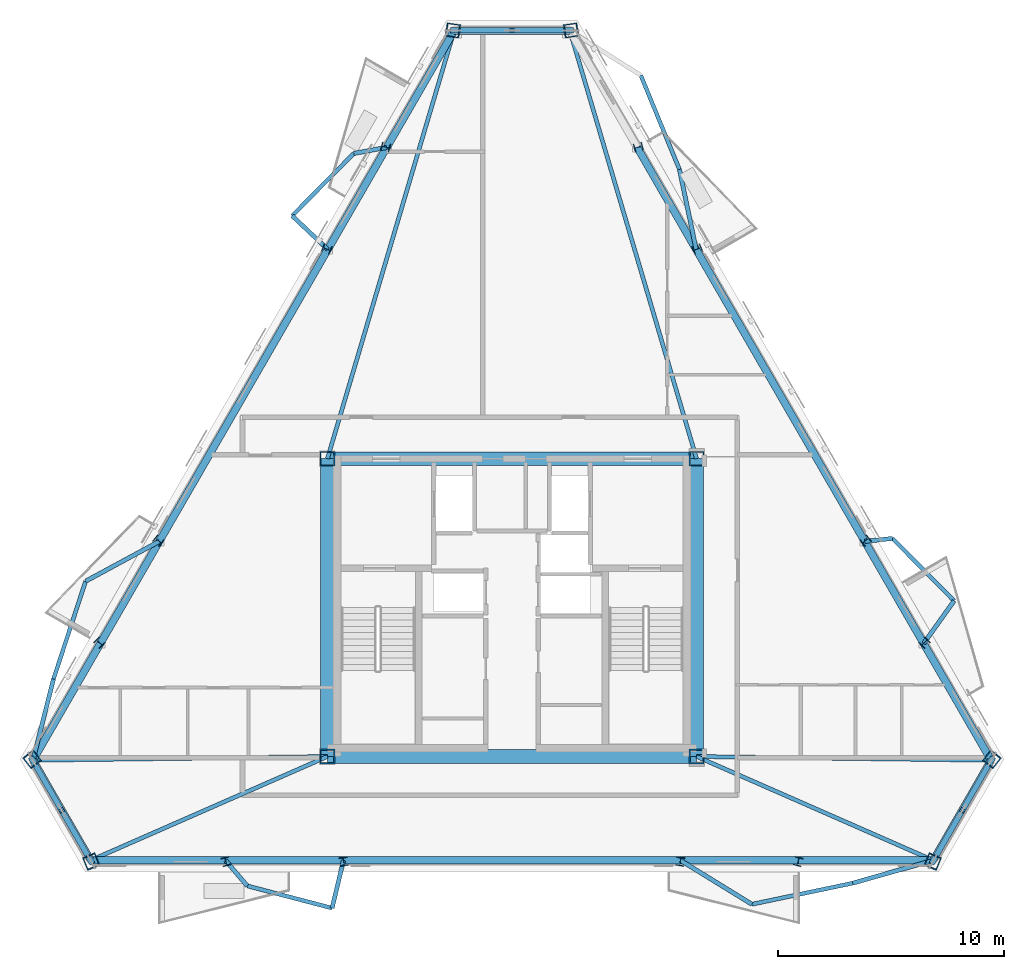
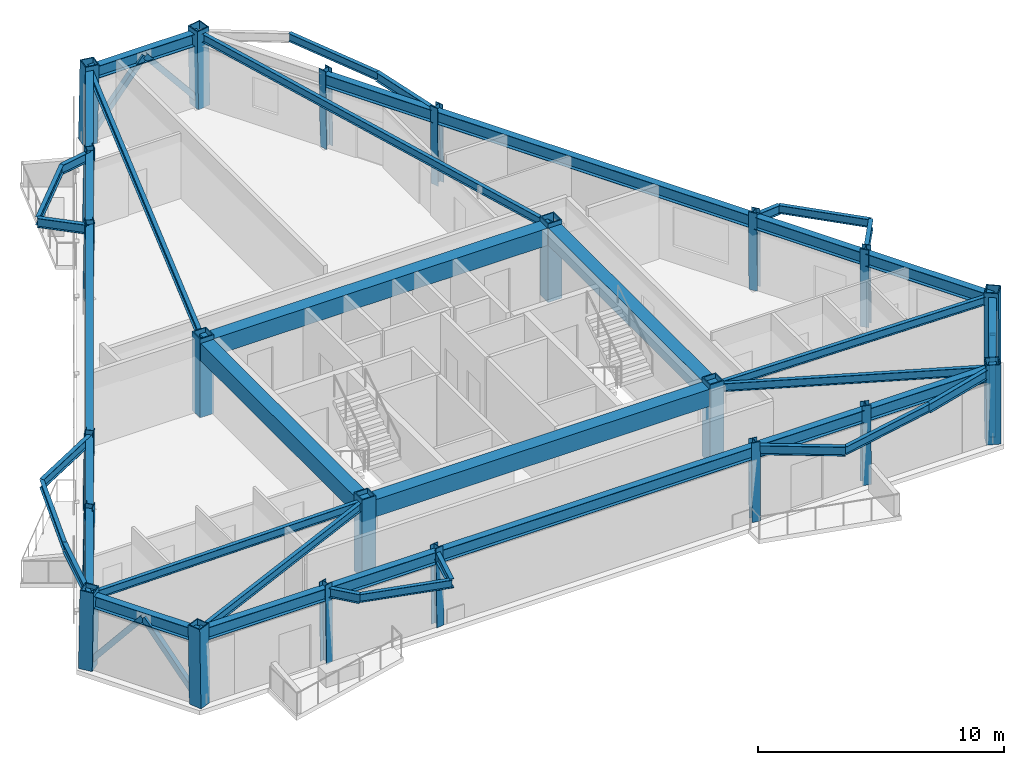
# One storey, part 1 of 9: 44 beams, 22 columns, 6 members.
"""IFC4 building model written with IfcOpenShell, lengths in metres."""

from ifc_helpers import new_model, si_unit, direction, frame, origin, origin_2d, place, context, subcontext, project, spatial, rectangle, hollow_rectangle, i_section, extrude, material, material_profile, profile_set, type_object, element, save


model = new_model("IFC4")

# Units and contexts
model_context = context("Model", 3, precision=1e-05, world=origin(), true_north=direction((0.0, 1.0)))
body_context = subcontext(model_context, "Body", "Model", "MODEL_VIEW")
ifc_project = project(units=[si_unit("LENGTHUNIT", "METRE"), si_unit("AREAUNIT", "SQUARE_METRE"), si_unit("VOLUMEUNIT", "CUBIC_METRE"), si_unit("PLANEANGLEUNIT", "RADIAN"), si_unit("MASSUNIT", "GRAM", prefix="KILO")], contexts=[model_context])

# Site, building, storey
site_placement = place(None, origin())
site = spatial("IfcSite", under=ifc_project, at=site_placement, CompositionType="ELEMENT")
building_placement = place(site_placement, origin())
building = spatial("IfcBuilding", under=site, at=building_placement, Name="Oramaril Tower", CompositionType="ELEMENT")
storey_placement = place(building_placement, frame((0.0, 0.0, 257.699951171875)))
storey = spatial("IfcBuildingStorey", under=building, at=storey_placement, Name="L68", CompositionType="ELEMENT", Elevation=257.699951171875)

# Columns
ifc_material_1 = material(Name="Steel ASTM A572 Gr 50", Category="steel")
ifc_material_profile_1 = material_profile(ifc_material_1, hollow_rectangle(XDim=0.64990234375, YDim=0.64990234375, WallThickness=0.050048828125, at=origin_2d()), Name="BOX650X650X50")
ifc_profile_set_1 = profile_set([ifc_material_profile_1], Name="Steel ASTM A572 Gr 50")
column_type_1 = type_object("IfcColumnType", Name="CT-CC5", PredefinedType="COLUMN", material=ifc_profile_set_1)
for number, where, z_axis, x_axis, name in (
    (1, (29.35009765625, 11.0, 0.0), (0.0, 0.0, 1.0), (1.0, 0.0, 0.0), "L68 Core Column CC-1"),
    (2, (45.64990234375, 11.0, 0.0), (0.0, 0.0, 1.0), (1.0, 0.0, 0.0), "L68 Core Column CC-2"),
    (3, (45.64990234375, 24.14990234375, 0.0), (0.0, 0.0, 1.0), (1.0, 0.0, 0.0), "L68 Core Column CC-3"),
    (4, (29.35009765625, 24.14990234375, 0.0), (0.0, 0.0, 1.0), (1.0, 0.0, 0.0), "L68 Core Column CC-4"),
):
    element("IfcColumn", number, at=place(storey_placement, frame(where, z_axis=z_axis, x_axis=x_axis)), inside=storey, type_object=column_type_1, Name=name, PredefinedType="COLUMN", context=body_context, shape_type="SweptSolid", body=[
        extrude(hollow_rectangle(XDim=0.64990234375, YDim=0.64990234375, WallThickness=0.050048828125, at=origin_2d()), origin(), (0.0, 0.0, 1.0), 3.900146484375),
    ])
ifc_material_2 = material(Name="Steel ASTM A572 Gr 50", Category="steel")
ifc_material_profile_2 = material_profile(ifc_material_2, hollow_rectangle(XDim=0.60009765625, YDim=0.60009765625, WallThickness=0.044921875, at=origin_2d()), Name="BOX600X600X45")
ifc_profile_set_2 = profile_set([ifc_material_profile_2], Name="Steel ASTM A572 Gr 50")
column_type_2 = type_object("IfcColumnType", Name="CT-TC5", PredefinedType="COLUMN", material=ifc_profile_set_2)
for number, where, z_axis, x_axis, name in (
    (5, (16.307373046875, 10.885986328125, 0.004638671875), (0.010414544061, -0.013175025619, 0.999858968041), (0.784500119596, 0.620128665967, 0.0), "L68 Tube Column TC-01"),
    (6, (18.92431640625, 6.353515625, 0.004638671875), (-0.006273817464, 0.015621805484, 0.999858289163), (-0.927961766506, -0.372675408235, 0.0), "L68 Tube Column TC-02"),
    (7, (56.07568359375, 6.353515625, 0.004638671875), (0.006273817464, 0.015621805484, 0.999858289163), (-0.927961766506, 0.372675408235, 0.0), "L68 Tube Column TC-03"),
    (8, (58.692626953125, 10.885986328125, 0.004638671875), (-0.010414544061, -0.013175025619, 0.999858968041), (0.784500119596, -0.620128665967, 0.0), "L68 Tube Column TC-04"),
    (9, (40.11669921875, 43.060302734375, 0.004638671875), (-0.016625624622, -0.002446790039, 0.999858790942), (0.145601470259, -0.989343323553, 0.0), "L68 Tube Column TC-05"),
    (10, (34.88330078125, 43.060302734375, 0.004638671875), (0.016625624622, -0.002446790039, 0.999858790942), (0.145601470259, 0.989343323553, 0.0), "L68 Tube Column TC-06"),
):
    element("IfcColumn", number, at=place(storey_placement, frame(where, z_axis=z_axis, x_axis=x_axis)), inside=storey, type_object=column_type_2, Name=name, PredefinedType="COLUMN", context=body_context, shape_type="SweptSolid", body=[
        extrude(hollow_rectangle(XDim=0.60009765625, YDim=0.60009765625, WallThickness=0.044921875, at=origin_2d()), origin(), (0.0, 0.0, 1.0), 3.891357421875),
    ])
ifc_material_3 = material(Name="Steel ASTM A572 Gr 50", Category="steel")
ifc_material_profile_3 = material_profile(ifc_material_3, i_section(OverallWidth=0.373046875, OverallDepth=0.373046875, WebThickness=0.016357421875, FlangeThickness=0.026123046875, at=origin_2d()), Name="W14X132")
ifc_profile_set_3 = profile_set([ifc_material_profile_3], Name="Steel ASTM A572 Gr 50")
column_type_3 = type_object("IfcColumnType", Name="CT-TF5", PredefinedType="COLUMN", material=ifc_profile_set_3)
for number, where, z_axis, x_axis, name in (
    (11, (24.868408203125, 6.353515625, 0.004638671875), (-0.004203503291, 0.015621974919, 0.999869133667), (-0.965653192473, -0.259834393155, 0.0), "L68 Tube Column TC-07"),
    (12, (30.069580078125, 6.353515625, 0.004638671875), (-0.002446829641, 0.015622066172, 0.999874974221), (-0.987955231685, -0.154739976047, 0.0), "L68 Tube Column TC-08"),
    (13, (44.930419921875, 6.353515625, 0.004638671875), (0.002446829641, 0.015622066172, 0.999874974221), (-0.987955231685, 0.154739976047, 0.0), "L68 Tube Column TC-09"),
    (14, (50.131591796875, 6.353515625, 0.004638671875), (0.004203503291, 0.015621974919, 0.999869133667), (-0.965653192473, 0.259834393155, 0.0), "L68 Tube Column TC-10"),
    (15, (55.720458984375, 16.033935546875, 0.004638671875), (-0.011418468863, -0.011481207703, 0.999868891625), (0.709041398977, -0.705166855813, 0.0), "L68 Tube Column TC-11"),
    (16, (53.119873046875, 20.538330078125, 0.004638671875), (-0.012296883193, -0.009975532794, 0.999874629846), (0.629995772381, -0.776598562181, 0.0), "L68 Tube Column TC-12"),
    (17, (45.689453125, 33.407958984375, 0.004638671875), (-0.014743722786, -0.005646532131, 0.999875361889), (0.357647266607, -0.933856751696, 0.0), "L68 Tube Column TC-13"),
    (18, (43.0888671875, 37.912353515625, 0.004638671875), (-0.015621979008, -0.00414076552, 0.999869395388), (0.256212647339, -0.966620442233, 0.0), "L68 Tube Column TC-14"),
    (19, (31.9111328125, 37.912353515625, 0.004638671875), (0.015621979008, -0.00414076552, 0.999869395388), (0.256212647339, 0.966620442233, 0.0), "L68 Tube Column TC-15"),
    (20, (29.310546875, 33.407958984375, 0.004638671875), (0.014743722786, -0.005646532131, 0.999875361889), (0.357647266607, 0.933856751696, 0.0), "L68 Tube Column TC-16"),
    (21, (21.880126953125, 20.538330078125, 0.004638671875), (0.012296883193, -0.009975532794, 0.999874629846), (0.629995772381, 0.776598562181, 0.0), "L68 Tube Column TC-17"),
    (22, (19.279541015625, 16.033935546875, 0.004638671875), (0.011418468863, -0.011481207703, 0.999868891625), (0.709041398977, 0.705166855813, 0.0), "L68 Tube Column TC-18"),
):
    element("IfcColumn", number, at=place(storey_placement, frame(where, z_axis=z_axis, x_axis=x_axis)), inside=storey, type_object=column_type_3, Name=name, PredefinedType="COLUMN", context=body_context, shape_type="SweptSolid", body=[
        extrude(i_section(OverallWidth=0.373046875, OverallDepth=0.373046875, WebThickness=0.016357421875, FlangeThickness=0.026123046875, at=origin_2d()), origin(), (0.0, 0.0, 1.0), 3.891357421875),
    ])

# Beams
ifc_material_4 = material(Name="Steel ASTM A572 Gr 50", Category="steel")
ifc_material_profile_4 = material_profile(ifc_material_4, i_section(OverallWidth=0.19091796875, OverallDepth=0.45703125, WebThickness=0.009033203125, FlangeThickness=0.014404296875, at=origin_2d()), Name="W18X50")
ifc_profile_set_4 = profile_set([ifc_material_profile_4], Name="Steel ASTM A572 Gr 50")
beam_type_1 = type_object("IfcBeamType", Name="BT-BB1", PredefinedType="BEAM", material=ifc_profile_set_4)
beam_1_placement = place(storey_placement, frame((24.85205078125, 6.414306640625, 3.45166015625), z_axis=(0.648317888666, -0.761369762491, 0.0), x_axis=(0.761369762491, 0.648317888666, 0.0)))
element("IfcBeam", 23, at=beam_1_placement, inside=storey, type_object=beam_type_1, Name="L68 Balcony Column-Framed Cantilever 01.1", PredefinedType="BEAM", context=body_context, shape_type="SweptSolid", body=[
    extrude(i_section(OverallWidth=0.19091796875, OverallDepth=0.45703125, WebThickness=0.009033203125, FlangeThickness=0.014404296875, at=origin_2d()), origin(), (0.0, 0.0, 1.0), 1.4814453125),
])
beam_2_placement = place(storey_placement, frame((30.06005859375, 6.414306640625, 3.45166015625), z_axis=(-0.232397159007, -0.97262097473, 0.0), x_axis=(0.97262097473, -0.232397159007, 0.0)))
element("IfcBeam", 24, at=beam_2_placement, inside=storey, type_object=beam_type_1, Name="L68 Balcony Column-Framed Cantilever 01.2", PredefinedType="BEAM", context=body_context, shape_type="SweptSolid", body=[
    extrude(i_section(OverallWidth=0.19091796875, OverallDepth=0.45703125, WebThickness=0.009033203125, FlangeThickness=0.014404296875, at=origin_2d()), origin(), (0.0, 0.0, 1.0), 2.167236328125),
])
for number, where, z_axis, x_axis, name in (
    (25, (44.93994140625, 6.414306640625, 3.45166015625), (0.851882535333, -0.523732895658, 0.0), (0.523732895658, 0.851882535333, 0.0), "L68 Balcony Column-Framed Cantilever 02.1"),
    (26, (56.10009765625, 6.414306640625, 3.45166015625), (-0.96224518264, -0.272184144442, 0.0), (0.272184144442, -0.96224518264, 0.0), "L68 Balcony Column-Framed Cantilever 02.2"),
):
    element("IfcBeam", number, at=place(storey_placement, frame(where, z_axis=z_axis, x_axis=x_axis)), inside=storey, type_object=beam_type_1, Name=name, PredefinedType="BEAM", context=body_context, shape_type="SweptSolid", body=[
        extrude(i_section(OverallWidth=0.19091796875, OverallDepth=0.45703125, WebThickness=0.009033203125, FlangeThickness=0.014404296875, at=origin_2d()), origin(), (0.0, 0.0, 1.0), 3.699951171875),
    ])
beam_3_placement = place(storey_placement, frame((55.676025390625, 15.9892578125, 3.45166015625), z_axis=(0.580809428325, 0.814039561673, 0.0), x_axis=(-0.814039561673, 0.580809428325, 0.0)))
element("IfcBeam", 27, at=beam_3_placement, inside=storey, type_object=beam_type_1, Name="L68 Balcony Column-Framed Cantilever 03.1", PredefinedType="BEAM", context=body_context, shape_type="SweptSolid", body=[
    extrude(i_section(OverallWidth=0.19091796875, OverallDepth=0.45703125, WebThickness=0.009033203125, FlangeThickness=0.014404296875, at=origin_2d()), origin(), (0.0, 0.0, 1.0), 2.31640625),
])
beam_4_placement = place(storey_placement, frame((53.072021484375, 20.49951171875, 3.45166015625), z_axis=(0.994623922867, 0.103553136416, 0.0), x_axis=(-0.103553136416, 0.994623922867, 0.0)))
element("IfcBeam", 28, at=beam_4_placement, inside=storey, type_object=beam_type_1, Name="L68 Balcony Column-Framed Cantilever 03.2", PredefinedType="BEAM", context=body_context, shape_type="SweptSolid", body=[
    extrude(i_section(OverallWidth=0.19091796875, OverallDepth=0.45703125, WebThickness=0.009033203125, FlangeThickness=0.014404296875, at=origin_2d()), origin(), (0.0, 0.0, 1.0), 1.2353515625),
])
beam_5_placement = place(storey_placement, frame((45.632080078125, 33.385986328125, 3.45166015625), z_axis=(-0.204343201407, 0.978899308427, 0.0), x_axis=(-0.978899308427, -0.204343201407, 0.0)))
element("IfcBeam", 29, at=beam_5_placement, inside=storey, type_object=beam_type_1, Name="L68 Balcony Column-Framed Cantilever 04.1", PredefinedType="BEAM", context=body_context, shape_type="SweptSolid", body=[
    extrude(i_section(OverallWidth=0.19091796875, OverallDepth=0.45703125, WebThickness=0.009033203125, FlangeThickness=0.014404296875, at=origin_2d()), origin(), (0.0, 0.0, 1.0), 3.609375),
])
beam_6_placement = place(storey_placement, frame((31.971923828125, 37.896240234375, 3.45166015625), z_axis=(-0.983551946673, -0.180625491547, 0.0), x_axis=(0.180625491547, -0.983551946673, 0.0)))
element("IfcBeam", 30, at=beam_6_placement, inside=storey, type_object=beam_type_1, Name="L68 Balcony Column-Framed Cantilever 05.1", PredefinedType="BEAM", context=body_context, shape_type="SweptSolid", body=[
    extrude(i_section(OverallWidth=0.19091796875, OverallDepth=0.45703125, WebThickness=0.009033203125, FlangeThickness=0.014404296875, at=origin_2d()), origin(), (0.0, 0.0, 1.0), 1.4814453125),
])
beam_7_placement = place(storey_placement, frame((29.367919921875, 33.385986328125, 3.45166015625), z_axis=(-0.72610658583, 0.687582159464, 0.0), x_axis=(-0.687582159464, -0.72610658583, 0.0)))
element("IfcBeam", 31, at=beam_7_placement, inside=storey, type_object=beam_type_1, Name="L68 Balcony Column-Framed Cantilever 05.2", PredefinedType="BEAM", context=body_context, shape_type="SweptSolid", body=[
    extrude(i_section(OverallWidth=0.19091796875, OverallDepth=0.45703125, WebThickness=0.009033203125, FlangeThickness=0.014404296875, at=origin_2d()), origin(), (0.0, 0.0, 1.0), 2.167236328125),
])
for number, where, z_axis, x_axis, name in (
    (32, (21.927978515625, 20.49951171875, 3.45166015625), (-0.879537108014, -0.47583030129, 0.0), (0.47583030129, -0.879537108014, 0.0), "L68 Balcony Column-Framed Cantilever 06.1"),
    (33, (16.347900390625, 10.834716796875, 3.45166015625), (0.245391254889, 0.969424123913, 0.0), (-0.969424123913, 0.245391254889, 0.0), "L68 Balcony Column-Framed Cantilever 06.2"),
):
    element("IfcBeam", number, at=place(storey_placement, frame(where, z_axis=z_axis, x_axis=x_axis)), inside=storey, type_object=beam_type_1, Name=name, PredefinedType="BEAM", context=body_context, shape_type="SweptSolid", body=[
        extrude(i_section(OverallWidth=0.19091796875, OverallDepth=0.45703125, WebThickness=0.009033203125, FlangeThickness=0.014404296875, at=origin_2d()), origin(), (0.0, 0.0, 1.0), 3.699951171875),
    ])
ifc_material_5 = material(Name="Concrete C50/60", Category="concrete")
ifc_material_profile_5 = material_profile(ifc_material_5, rectangle(XDim=0.60009765625, YDim=0.85009765625, at=origin_2d()), Name="CB600X850")
ifc_profile_set_5 = profile_set([ifc_material_profile_5], Name="Concrete C50/60")
beam_type_2 = type_object("IfcBeamType", Name="BT-CB2", PredefinedType="BEAM", material=ifc_profile_set_5)
beam_8_placement = place(storey_placement, frame((29.35009765625, 11.0, 3.255126953125), z_axis=(1.0, 0.0, 0.0), x_axis=(0.0, 1.0, 0.0)))
element("IfcBeam", 34, at=beam_8_placement, inside=storey, type_object=beam_type_2, Name="L68 Core Header Beam CB-1", PredefinedType="BEAM", context=body_context, shape_type="SweptSolid", body=[
    extrude(rectangle(XDim=0.60009765625, YDim=0.85009765625, at=origin_2d()), origin(), (0.0, 0.0, 1.0), 16.2998046875),
])
beam_9_placement = place(storey_placement, frame((45.64990234375, 11.0, 3.255126953125), z_axis=(0.0, 1.0, 0.0), x_axis=(-1.0, 0.0, 0.0)))
element("IfcBeam", 35, at=beam_9_placement, inside=storey, type_object=beam_type_2, Name="L68 Core Header Beam CB-2", PredefinedType="BEAM", context=body_context, shape_type="SweptSolid", body=[
    extrude(rectangle(XDim=0.60009765625, YDim=0.85009765625, at=origin_2d()), origin(), (0.0, 0.0, 1.0), 13.14990234375),
])
beam_10_placement = place(storey_placement, frame((45.64990234375, 24.14990234375, 3.255126953125), z_axis=(-1.0, 0.0, 0.0), x_axis=(0.0, -1.0, 0.0)))
element("IfcBeam", 36, at=beam_10_placement, inside=storey, type_object=beam_type_2, Name="L68 Core Header Beam CB-3", PredefinedType="BEAM", context=body_context, shape_type="SweptSolid", body=[
    extrude(rectangle(XDim=0.60009765625, YDim=0.85009765625, at=origin_2d()), origin(), (0.0, 0.0, 1.0), 16.2998046875),
])
beam_11_placement = place(storey_placement, frame((29.35009765625, 24.14990234375, 3.255126953125), z_axis=(0.0, -1.0, 0.0), x_axis=(1.0, 0.0, 0.0)))
element("IfcBeam", 37, at=beam_11_placement, inside=storey, type_object=beam_type_2, Name="L68 Core Header Beam CB-4", PredefinedType="BEAM", context=body_context, shape_type="SweptSolid", body=[
    extrude(rectangle(XDim=0.60009765625, YDim=0.85009765625, at=origin_2d()), origin(), (0.0, 0.0, 1.0), 13.14990234375),
])
ifc_material_6 = material(Name="Steel ASTM A572 Gr 50", Category="steel")
ifc_material_profile_6 = material_profile(ifc_material_6, i_section(OverallWidth=0.177978515625, OverallDepth=0.404052734375, WebThickness=0.007568359375, FlangeThickness=0.010986328125, at=origin_2d()), Name="W16X36")
ifc_profile_set_6 = profile_set([ifc_material_profile_6], Name="Steel ASTM A572 Gr 50")
beam_type_3 = type_object("IfcBeamType", Name="BT-SB1", PredefinedType="BEAM", material=ifc_profile_set_6)
beam_12_placement = place(storey_placement, frame((29.35009765625, 11.0, 3.47802734375), z_axis=(-0.999919213031, -0.01271091701, 0.0), x_axis=(0.01271091701, -0.999919213031, 0.0)))
element("IfcBeam", 38, at=beam_12_placement, inside=storey, type_object=beam_type_3, Name="L68 Radial Primary Beam RB-01", PredefinedType="BEAM", context=body_context, shape_type="SweptSolid", body=[
    extrude(i_section(OverallWidth=0.177978515625, OverallDepth=0.404052734375, WebThickness=0.007568359375, FlangeThickness=0.010986328125, at=origin_2d()), origin(), (0.0, 0.0, 1.0), 13.003173828125),
])
for number, where, z_axis, x_axis, name in (
    (39, (29.35009765625, 11.0, 3.47802734375), (-0.915714885632, -0.401828630428, 0.0), (0.401828630428, -0.915714885632, 0.0), "L68 Radial Primary Beam RB-02"),
    (40, (45.64990234375, 11.0, 3.47802734375), (0.915714885632, -0.401828630428, 0.0), (0.401828630428, 0.915714885632, 0.0), "L68 Radial Primary Beam RB-03"),
):
    element("IfcBeam", number, at=place(storey_placement, frame(where, z_axis=z_axis, x_axis=x_axis)), inside=storey, type_object=beam_type_3, Name=name, PredefinedType="BEAM", context=body_context, shape_type="SweptSolid", body=[
        extrude(i_section(OverallWidth=0.177978515625, OverallDepth=0.404052734375, WebThickness=0.007568359375, FlangeThickness=0.010986328125, at=origin_2d()), origin(), (0.0, 0.0, 1.0), 11.412109375),
    ])
beam_13_placement = place(storey_placement, frame((45.64990234375, 11.0, 3.47802734375), z_axis=(0.999919213031, -0.01271091701, 0.0), x_axis=(0.01271091701, 0.999919213031, 0.0)))
element("IfcBeam", 41, at=beam_13_placement, inside=storey, type_object=beam_type_3, Name="L68 Radial Primary Beam RB-04", PredefinedType="BEAM", context=body_context, shape_type="SweptSolid", body=[
    extrude(i_section(OverallWidth=0.177978515625, OverallDepth=0.404052734375, WebThickness=0.007568359375, FlangeThickness=0.010986328125, at=origin_2d()), origin(), (0.0, 0.0, 1.0), 13.003173828125),
])
for number, where, z_axis, x_axis, name in (
    (42, (45.64990234375, 24.14990234375, 3.47802734375), (-0.283978267423, 0.958830716879, 0.0), (-0.958830716879, -0.283978267423, 0.0), "L68 Radial Primary Beam RB-05"),
    (43, (29.35009765625, 24.14990234375, 3.47802734375), (0.283978267423, 0.958830716879, 0.0), (-0.958830716879, 0.283978267423, 0.0), "L68 Radial Primary Beam RB-06"),
):
    element("IfcBeam", number, at=place(storey_placement, frame(where, z_axis=z_axis, x_axis=x_axis)), inside=storey, type_object=beam_type_3, Name=name, PredefinedType="BEAM", context=body_context, shape_type="SweptSolid", body=[
        extrude(i_section(OverallWidth=0.177978515625, OverallDepth=0.404052734375, WebThickness=0.007568359375, FlangeThickness=0.010986328125, at=origin_2d()), origin(), (0.0, 0.0, 1.0), 19.71240234375),
    ])
beam_14_placement = place(storey_placement, frame((25.8125, 5.286376953125, 3.47802734375), z_axis=(0.967407922874, -0.253223045479, 0.0), x_axis=(0.253223045479, 0.967407922874, 0.0)))
element("IfcBeam", 44, at=beam_14_placement, inside=storey, type_object=beam_type_3, Name="L68 Balcony Edge Tie Beam 01", PredefinedType="BEAM", context=body_context, shape_type="SweptSolid", body=[
    extrude(i_section(OverallWidth=0.177978515625, OverallDepth=0.404052734375, WebThickness=0.007568359375, FlangeThickness=0.010986328125, at=origin_2d()), origin(), (0.0, 0.0, 1.0), 3.8701171875),
])
beam_15_placement = place(storey_placement, frame((48.091796875, 4.4765625, 3.47802734375), z_axis=(0.978804402089, 0.204797320422, 0.0), x_axis=(-0.204797320422, 0.978804402089, 0.0)))
element("IfcBeam", 45, at=beam_15_placement, inside=storey, type_object=beam_type_3, Name="L68 Balcony Edge Tie Beam 02", PredefinedType="BEAM", context=body_context, shape_type="SweptSolid", body=[
    extrude(i_section(OverallWidth=0.177978515625, OverallDepth=0.404052734375, WebThickness=0.007568359375, FlangeThickness=0.010986328125, at=origin_2d()), origin(), (0.0, 0.0, 1.0), 4.54443359375),
])
beam_16_placement = place(storey_placement, frame((57.021484375, 17.875, 3.47802734375), z_axis=(-0.702994511648, 0.71119527318, 0.0), x_axis=(-0.71119527318, -0.702994511648, 0.0)))
element("IfcBeam", 46, at=beam_16_placement, inside=storey, type_object=beam_type_3, Name="L68 Balcony Edge Tie Beam 03", PredefinedType="BEAM", context=body_context, shape_type="SweptSolid", body=[
    extrude(i_section(OverallWidth=0.177978515625, OverallDepth=0.404052734375, WebThickness=0.007568359375, FlangeThickness=0.010986328125, at=origin_2d()), origin(), (0.0, 0.0, 1.0), 3.8701171875),
])
beam_17_placement = place(storey_placement, frame((44.89453125, 36.919189453125, 3.47802734375), z_axis=(-0.379811104954, 0.925064065108, 0.0), x_axis=(-0.925064065108, -0.379811104954, 0.0)))
element("IfcBeam", 47, at=beam_17_placement, inside=storey, type_object=beam_type_3, Name="L68 Balcony Edge Tie Beam 04", PredefinedType="BEAM", context=body_context, shape_type="SweptSolid", body=[
    extrude(i_section(OverallWidth=0.177978515625, OverallDepth=0.404052734375, WebThickness=0.007568359375, FlangeThickness=0.010986328125, at=origin_2d()), origin(), (0.0, 0.0, 1.0), 4.500732421875),
])
beam_18_placement = place(storey_placement, frame((30.514892578125, 37.628662109375, 3.47802734375), z_axis=(-0.702994511648, -0.71119527318, 0.0), x_axis=(0.71119527318, -0.702994511648, 0.0)))
element("IfcBeam", 48, at=beam_18_placement, inside=storey, type_object=beam_type_3, Name="L68 Balcony Edge Tie Beam 05", PredefinedType="BEAM", context=body_context, shape_type="SweptSolid", body=[
    extrude(i_section(OverallWidth=0.177978515625, OverallDepth=0.404052734375, WebThickness=0.007568359375, FlangeThickness=0.010986328125, at=origin_2d()), origin(), (0.0, 0.0, 1.0), 3.8701171875),
])
beam_19_placement = place(storey_placement, frame((18.673828125, 18.739013671875, 3.47802734375), z_axis=(-0.312034139779, -0.950070889783, 0.0), x_axis=(0.950070889783, -0.312034139779, 0.0)))
element("IfcBeam", 49, at=beam_19_placement, inside=storey, type_object=beam_type_3, Name="L68 Balcony Edge Tie Beam 06", PredefinedType="BEAM", context=body_context, shape_type="SweptSolid", body=[
    extrude(i_section(OverallWidth=0.177978515625, OverallDepth=0.404052734375, WebThickness=0.007568359375, FlangeThickness=0.010986328125, at=origin_2d()), origin(), (0.0, 0.0, 1.0), 4.544189453125),
])
ifc_material_7 = material(Name="Steel ASTM A572 Gr 50", Category="steel")
ifc_material_profile_7 = material_profile(ifc_material_7, i_section(OverallWidth=0.324951171875, OverallDepth=0.612060546875, WebThickness=0.0126953125, FlangeThickness=0.01904296875, at=origin_2d()), Name="W24X104")
ifc_profile_set_7 = profile_set([ifc_material_profile_7], Name="Steel ASTM A572 Gr 50")
beam_type_4 = type_object("IfcBeamType", Name="BT-SP5", PredefinedType="SPANDREL", material=ifc_profile_set_7)
beam_20_placement = place(storey_placement, frame((16.347900390625, 10.834716796875, 3.3740234375), z_axis=(0.499981920546, -0.866035841711, 0.0), x_axis=(0.866035841711, 0.499981920546, 0.0)))
element("IfcBeam", 50, at=beam_20_placement, inside=storey, type_object=beam_type_4, Name="L68 Perimeter Spandrel 01", PredefinedType="SPANDREL", context=body_context, shape_type="SweptSolid", body=[
    extrude(i_section(OverallWidth=0.324951171875, OverallDepth=0.612060546875, WebThickness=0.0126953125, FlangeThickness=0.01904296875, at=origin_2d()), origin(), (0.0, 0.0, 1.0), 5.104248046875),
])
beam_21_placement = place(storey_placement, frame((18.89990234375, 6.414306640625, 3.3740234375), z_axis=(1.0, 0.0, 0.0), x_axis=(0.0, 1.0, 0.0)))
element("IfcBeam", 51, at=beam_21_placement, inside=storey, type_object=beam_type_4, Name="L68 Perimeter Spandrel 02", PredefinedType="SPANDREL", context=body_context, shape_type="SweptSolid", body=[
    extrude(i_section(OverallWidth=0.324951171875, OverallDepth=0.612060546875, WebThickness=0.0126953125, FlangeThickness=0.01904296875, at=origin_2d()), origin(), (0.0, 0.0, 1.0), 5.9521484375),
])
beam_22_placement = place(storey_placement, frame((24.85205078125, 6.414306640625, 3.3740234375), z_axis=(1.0, 0.0, 0.0), x_axis=(0.0, 1.0, 0.0)))
element("IfcBeam", 52, at=beam_22_placement, inside=storey, type_object=beam_type_4, Name="L68 Perimeter Spandrel 03", PredefinedType="SPANDREL", context=body_context, shape_type="SweptSolid", body=[
    extrude(i_section(OverallWidth=0.324951171875, OverallDepth=0.612060546875, WebThickness=0.0126953125, FlangeThickness=0.01904296875, at=origin_2d()), origin(), (0.0, 0.0, 1.0), 5.2080078125),
])
beam_23_placement = place(storey_placement, frame((30.06005859375, 6.414306640625, 3.3740234375), z_axis=(1.0, 0.0, 0.0), x_axis=(0.0, 1.0, 0.0)))
element("IfcBeam", 53, at=beam_23_placement, inside=storey, type_object=beam_type_4, Name="L68 Perimeter Spandrel 04", PredefinedType="SPANDREL", context=body_context, shape_type="SweptSolid", body=[
    extrude(i_section(OverallWidth=0.324951171875, OverallDepth=0.612060546875, WebThickness=0.0126953125, FlangeThickness=0.01904296875, at=origin_2d()), origin(), (0.0, 0.0, 1.0), 14.8798828125),
])
beam_24_placement = place(storey_placement, frame((44.93994140625, 6.414306640625, 3.3740234375), z_axis=(1.0, 0.0, 0.0), x_axis=(0.0, 1.0, 0.0)))
element("IfcBeam", 54, at=beam_24_placement, inside=storey, type_object=beam_type_4, Name="L68 Perimeter Spandrel 05", PredefinedType="SPANDREL", context=body_context, shape_type="SweptSolid", body=[
    extrude(i_section(OverallWidth=0.324951171875, OverallDepth=0.612060546875, WebThickness=0.0126953125, FlangeThickness=0.01904296875, at=origin_2d()), origin(), (0.0, 0.0, 1.0), 5.2080078125),
])
beam_25_placement = place(storey_placement, frame((50.14794921875, 6.414306640625, 3.3740234375), z_axis=(1.0, 0.0, 0.0), x_axis=(0.0, 1.0, 0.0)))
element("IfcBeam", 55, at=beam_25_placement, inside=storey, type_object=beam_type_4, Name="L68 Perimeter Spandrel 06", PredefinedType="SPANDREL", context=body_context, shape_type="SweptSolid", body=[
    extrude(i_section(OverallWidth=0.324951171875, OverallDepth=0.612060546875, WebThickness=0.0126953125, FlangeThickness=0.01904296875, at=origin_2d()), origin(), (0.0, 0.0, 1.0), 5.9521484375),
])
beam_26_placement = place(storey_placement, frame((56.10009765625, 6.414306640625, 3.3740234375), z_axis=(0.499981920546, 0.866035841711, 0.0), x_axis=(-0.866035841711, 0.499981920546, 0.0)))
element("IfcBeam", 56, at=beam_26_placement, inside=storey, type_object=beam_type_4, Name="L68 Perimeter Spandrel 07", PredefinedType="SPANDREL", context=body_context, shape_type="SweptSolid", body=[
    extrude(i_section(OverallWidth=0.324951171875, OverallDepth=0.612060546875, WebThickness=0.0126953125, FlangeThickness=0.01904296875, at=origin_2d()), origin(), (0.0, 0.0, 1.0), 5.104248046875),
])
beam_27_placement = place(storey_placement, frame((58.652099609375, 10.834716796875, 3.3740234375), z_axis=(-0.500012421297, 0.866018232227, 0.0), x_axis=(-0.866018232227, -0.500012421297, 0.0)))
element("IfcBeam", 57, at=beam_27_placement, inside=storey, type_object=beam_type_4, Name="L68 Perimeter Spandrel 08", PredefinedType="SPANDREL", context=body_context, shape_type="SweptSolid", body=[
    extrude(i_section(OverallWidth=0.324951171875, OverallDepth=0.612060546875, WebThickness=0.0126953125, FlangeThickness=0.01904296875, at=origin_2d()), origin(), (0.0, 0.0, 1.0), 5.951904296875),
])
beam_28_placement = place(storey_placement, frame((55.676025390625, 15.9892578125, 3.3740234375), z_axis=(-0.500001094379, 0.866024771944, 0.0), x_axis=(-0.866024771944, -0.500001094379, 0.0)))
element("IfcBeam", 58, at=beam_28_placement, inside=storey, type_object=beam_type_4, Name="L68 Perimeter Spandrel 09", PredefinedType="SPANDREL", context=body_context, shape_type="SweptSolid", body=[
    extrude(i_section(OverallWidth=0.324951171875, OverallDepth=0.612060546875, WebThickness=0.0126953125, FlangeThickness=0.01904296875, at=origin_2d()), origin(), (0.0, 0.0, 1.0), 5.2080078125),
])
beam_29_placement = place(storey_placement, frame((53.072021484375, 20.49951171875, 3.3740234375), z_axis=(-0.499996563582, 0.866027387792, 0.0), x_axis=(-0.866027387792, -0.499996563582, 0.0)))
element("IfcBeam", 59, at=beam_29_placement, inside=storey, type_object=beam_type_4, Name="L68 Perimeter Spandrel 10", PredefinedType="SPANDREL", context=body_context, shape_type="SweptSolid", body=[
    extrude(i_section(OverallWidth=0.324951171875, OverallDepth=0.612060546875, WebThickness=0.0126953125, FlangeThickness=0.01904296875, at=origin_2d()), origin(), (0.0, 0.0, 1.0), 14.8798828125),
])
beam_30_placement = place(storey_placement, frame((45.632080078125, 33.385986328125, 3.3740234375), z_axis=(-0.500001094379, 0.866024771944, 0.0), x_axis=(-0.866024771944, -0.500001094379, 0.0)))
element("IfcBeam", 60, at=beam_30_placement, inside=storey, type_object=beam_type_4, Name="L68 Perimeter Spandrel 11", PredefinedType="SPANDREL", context=body_context, shape_type="SweptSolid", body=[
    extrude(i_section(OverallWidth=0.324951171875, OverallDepth=0.612060546875, WebThickness=0.0126953125, FlangeThickness=0.01904296875, at=origin_2d()), origin(), (0.0, 0.0, 1.0), 5.2080078125),
])
beam_31_placement = place(storey_placement, frame((40.052001953125, 43.05078125, 3.3740234375), z_axis=(-1.0, 0.0, 0.0), x_axis=(0.0, -1.0, 0.0)))
element("IfcBeam", 61, at=beam_31_placement, inside=storey, type_object=beam_type_4, Name="L68 Perimeter Spandrel 13", PredefinedType="SPANDREL", context=body_context, shape_type="SweptSolid", body=[
    extrude(i_section(OverallWidth=0.324951171875, OverallDepth=0.612060546875, WebThickness=0.0126953125, FlangeThickness=0.01904296875, at=origin_2d()), origin(), (0.0, 0.0, 1.0), 5.10400390625),
])
beam_32_placement = place(storey_placement, frame((34.947998046875, 43.05078125, 3.3740234375), z_axis=(-0.500012421297, -0.866018232227, 0.0), x_axis=(0.866018232227, -0.500012421297, 0.0)))
element("IfcBeam", 62, at=beam_32_placement, inside=storey, type_object=beam_type_4, Name="L68 Perimeter Spandrel 14", PredefinedType="SPANDREL", context=body_context, shape_type="SweptSolid", body=[
    extrude(i_section(OverallWidth=0.324951171875, OverallDepth=0.612060546875, WebThickness=0.0126953125, FlangeThickness=0.01904296875, at=origin_2d()), origin(), (0.0, 0.0, 1.0), 5.951904296875),
])
beam_33_placement = place(storey_placement, frame((31.971923828125, 37.896240234375, 3.3740234375), z_axis=(-0.500001094379, -0.866024771944, 0.0), x_axis=(0.866024771944, -0.500001094379, 0.0)))
element("IfcBeam", 63, at=beam_33_placement, inside=storey, type_object=beam_type_4, Name="L68 Perimeter Spandrel 15", PredefinedType="SPANDREL", context=body_context, shape_type="SweptSolid", body=[
    extrude(i_section(OverallWidth=0.324951171875, OverallDepth=0.612060546875, WebThickness=0.0126953125, FlangeThickness=0.01904296875, at=origin_2d()), origin(), (0.0, 0.0, 1.0), 5.2080078125),
])
beam_34_placement = place(storey_placement, frame((29.367919921875, 33.385986328125, 3.3740234375), z_axis=(-0.499996563582, -0.866027387792, 0.0), x_axis=(0.866027387792, -0.499996563582, 0.0)))
element("IfcBeam", 64, at=beam_34_placement, inside=storey, type_object=beam_type_4, Name="L68 Perimeter Spandrel 16", PredefinedType="SPANDREL", context=body_context, shape_type="SweptSolid", body=[
    extrude(i_section(OverallWidth=0.324951171875, OverallDepth=0.612060546875, WebThickness=0.0126953125, FlangeThickness=0.01904296875, at=origin_2d()), origin(), (0.0, 0.0, 1.0), 14.8798828125),
])
beam_35_placement = place(storey_placement, frame((21.927978515625, 20.49951171875, 3.3740234375), z_axis=(-0.500001094379, -0.866024771944, 0.0), x_axis=(0.866024771944, -0.500001094379, 0.0)))
element("IfcBeam", 65, at=beam_35_placement, inside=storey, type_object=beam_type_4, Name="L68 Perimeter Spandrel 17", PredefinedType="SPANDREL", context=body_context, shape_type="SweptSolid", body=[
    extrude(i_section(OverallWidth=0.324951171875, OverallDepth=0.612060546875, WebThickness=0.0126953125, FlangeThickness=0.01904296875, at=origin_2d()), origin(), (0.0, 0.0, 1.0), 5.2080078125),
])
beam_36_placement = place(storey_placement, frame((19.323974609375, 15.9892578125, 3.3740234375), z_axis=(-0.500012421297, -0.866018232227, 0.0), x_axis=(0.866018232227, -0.500012421297, 0.0)))
element("IfcBeam", 66, at=beam_36_placement, inside=storey, type_object=beam_type_4, Name="L68 Perimeter Spandrel 18", PredefinedType="SPANDREL", context=body_context, shape_type="SweptSolid", body=[
    extrude(i_section(OverallWidth=0.324951171875, OverallDepth=0.612060546875, WebThickness=0.0126953125, FlangeThickness=0.01904296875, at=origin_2d()), origin(), (0.0, 0.0, 1.0), 5.951904296875),
])

# Members
ifc_material_8 = material(Name="Steel ASTM A572 Gr 50", Category="steel")
ifc_material_profile_8 = material_profile(ifc_material_8, hollow_rectangle(XDim=0.25, YDim=0.25, WallThickness=0.011962890625, at=origin_2d()), Name="HSS250X250X12")
ifc_profile_set_8 = profile_set([ifc_material_profile_8], Name="Steel ASTM A572 Gr 50")
member_type = type_object("IfcMemberType", Name="MT-KB3", PredefinedType="BRACE", material=ifc_profile_set_8)
for number, where, z_axis, x_axis, name in (
    (67, (16.307373046875, 10.885986328125, 0.179931640625), (0.316915735834, -0.548808182839, 0.773546375358), (0.865983595997, 0.500072406221, 0.0), "L68 Perimeter Chevron Brace KB-1A"),
    (68, (18.92431640625, 6.353515625, 0.179931640625), (-0.31685226436, 0.548859781686, 0.773535766864), (-0.866047320542, -0.499962037141, 0.0), "L68 Perimeter Chevron Brace KB-1B"),
    (69, (56.07568359375, 6.353515625, 0.179931640625), (0.31685226436, 0.548859781686, 0.773535766864), (-0.866047320542, 0.499962037141, 0.0), "L68 Perimeter Chevron Brace KB-2A"),
    (70, (58.692626953125, 10.885986328125, 0.179931640625), (-0.316915735834, -0.548808182839, 0.773546375358), (0.865983595997, -0.500072406221, 0.0), "L68 Perimeter Chevron Brace KB-2B"),
    (71, (40.11669921875, 43.060302734375, 0.179931640625), (-0.633723853683, 0.0, 0.773559356012), (0.0, -1.0, 0.0), "L68 Perimeter Chevron Brace KB-3A"),
    (72, (34.88330078125, 43.060302734375, 0.179931640625), (0.633723853683, 0.0, 0.773559356012), (0.0, 1.0, 0.0), "L68 Perimeter Chevron Brace KB-3B"),
):
    element("IfcMember", number, at=place(storey_placement, frame(where, z_axis=z_axis, x_axis=x_axis)), inside=storey, type_object=member_type, Name=name, PredefinedType="BRACE", context=body_context, shape_type="SweptSolid", body=[
        extrude(hollow_rectangle(XDim=0.25, YDim=0.25, WallThickness=0.011962890625, at=origin_2d()), origin(), (0.0, 0.0, 1.0), 4.129150390625),
    ])

save(model, "model.ifc")
